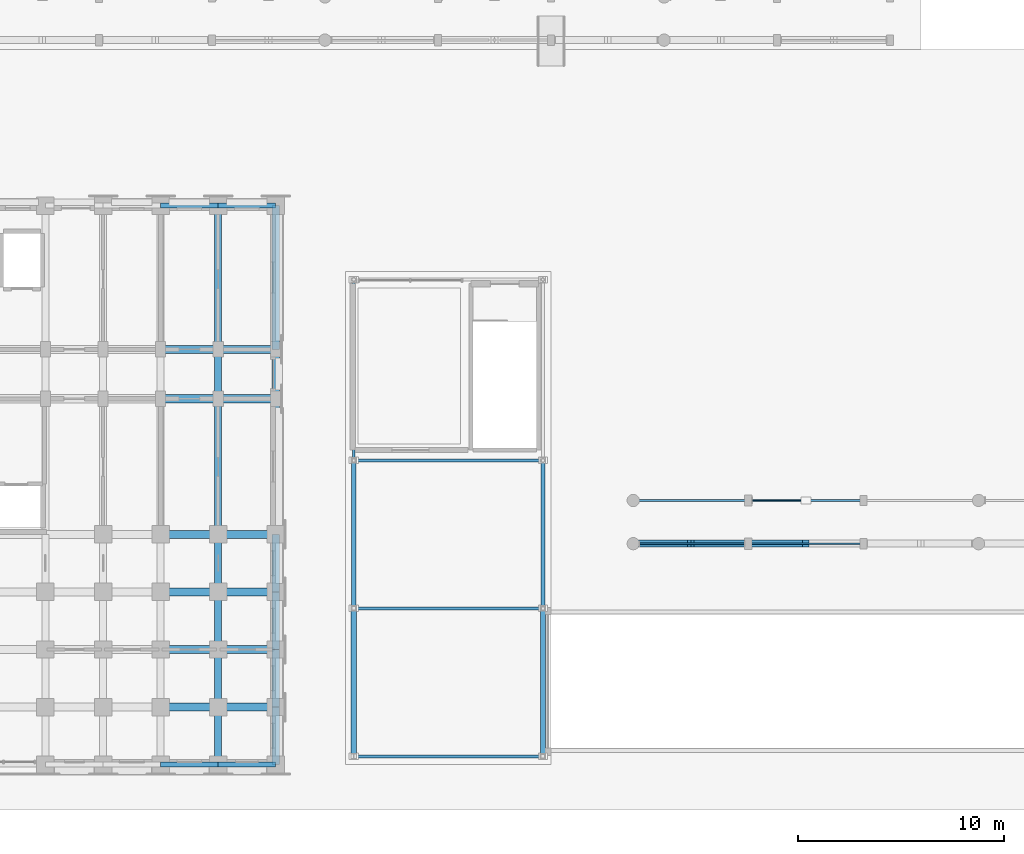
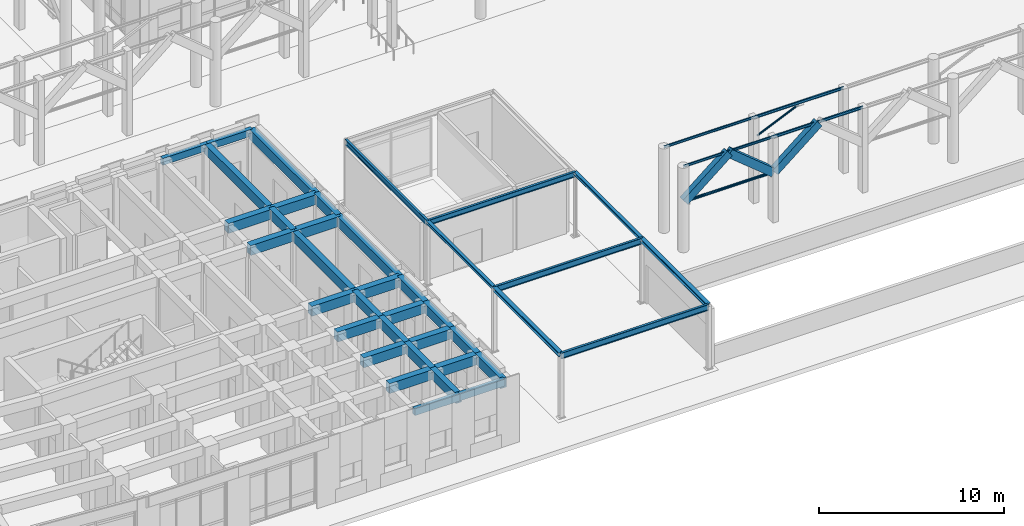
# One storey, part 24 of 135: 45 beams, 2 members.
"""IFC4 building model written with IfcOpenShell, lengths in metres."""

from ifc_helpers import new_model, si_unit, direction, frame, origin, origin_2d, place, context, subcontext, project, spatial, rectangle, hollow_circle, i_section, extrude, material, material_profile, profile_set, type_object, element, save


model = new_model("IFC4")

# Units and contexts
model_context = context("Model", 3, precision=1e-05, world=origin(), true_north=direction((0.0, 1.0)))
body_context = subcontext(model_context, "Body", "Model", "MODEL_VIEW")
ifc_project = project(units=[si_unit("LENGTHUNIT", "METRE"), si_unit("AREAUNIT", "SQUARE_METRE"), si_unit("VOLUMEUNIT", "CUBIC_METRE"), si_unit("PLANEANGLEUNIT", "RADIAN"), si_unit("MASSUNIT", "GRAM", prefix="KILO")], contexts=[model_context])

# Site, building, storey
site_placement = place(None, origin())
site = spatial("IfcSite", under=ifc_project, at=site_placement, CompositionType="ELEMENT")
building_placement = place(site_placement, origin())
building = spatial("IfcBuilding", under=site, at=building_placement, Name="Kiranvali Square Residences", CompositionType="ELEMENT")
storey_placement = place(building_placement, origin())
storey = spatial("IfcBuildingStorey", under=building, at=storey_placement, Name="L00", CompositionType="ELEMENT", Elevation=0.0)

# Beams
ifc_material_1 = material(Name="Concrete M40 (40 MPa)", Category="concrete")
ifc_material_profile_1 = material_profile(ifc_material_1, rectangle(XDim=0.35009765625, YDim=0.5, at=origin_2d()), Name="RC 350x500")
ifc_profile_set_1 = profile_set([ifc_material_profile_1], Name="Concrete M40 (40 MPa)")
beam_type_1 = type_object("IfcBeamType", Name="AR-M40-350x500", PredefinedType="USERDEFINED", material=ifc_profile_set_1)
for number, where, z_axis, x_axis, name in (
    (1, (88.0400390625, 12.949951171875, 3.199951171875), (0.773707197962, 0.0, 0.633543346443), (0.0, 1.0, 0.0), "Classical pointed Ottoman arch rib ARCH-ARC-SQ-S-01.1"),
    (2, (90.800048828125, 12.949951171875, 5.4599609375), (0.773707197962, 0.0, -0.633543346443), (0.0, 1.0, 0.0), "Classical pointed Ottoman arch rib ARCH-ARC-SQ-S-01.2"),
    (3, (93.639892578125, 12.949951171875, 3.199951171875), (0.773707197962, 0.0, 0.633543346443), (0.0, 1.0, 0.0), "Classical pointed Ottoman arch rib ARCH-ARC-SQ-S-02.1"),
):
    element("IfcBeam", number, at=place(storey_placement, frame(where, z_axis=z_axis, x_axis=x_axis)), inside=storey, type_object=beam_type_1, Name=name, ObjectType="ARCH RIB", PredefinedType="USERDEFINED", context=body_context, shape_type="SweptSolid", body=[
        extrude(rectangle(XDim=0.35009765625, YDim=0.5, at=origin_2d()), origin(), (0.0, 0.0, 1.0), 3.567138671875),
    ])
ifc_material_profile_2 = material_profile(ifc_material_1, rectangle(XDim=0.35009765625, YDim=0.64990234375, at=origin_2d()), Name="RC 350x650")
ifc_profile_set_2 = profile_set([ifc_material_profile_2], Name="Concrete M40 (40 MPa)")
beam_type_2 = type_object("IfcBeamType", Name="BM-M40-350x650", PredefinedType="BEAM", material=ifc_profile_set_2)
beam_1_placement = place(storey_placement, frame((67.800048828125, 29.39990234375, 3.824951171875), z_axis=(0.0, -1.0, 0.0), x_axis=(1.0, 0.0, 0.0)))
element("IfcBeam", 4, at=beam_1_placement, inside=storey, type_object=beam_type_2, Name="L00 beam BM-C-L00-A1T4-01", PredefinedType="BEAM", context=body_context, shape_type="SweptSolid", body=[
    extrude(rectangle(XDim=0.35009765625, YDim=0.64990234375, at=origin_2d()), origin(), (0.0, 0.0, 1.0), 7.0),
])
beam_2_placement = place(storey_placement, frame((67.800048828125, 22.39990234375, 3.824951171875), z_axis=(0.0, -1.0, 0.0), x_axis=(1.0, 0.0, 0.0)))
element("IfcBeam", 5, at=beam_2_placement, inside=storey, type_object=beam_type_2, Name="L00 beam BM-C-L00-A1T4-12", PredefinedType="BEAM", context=body_context, shape_type="SweptSolid", body=[
    extrude(rectangle(XDim=0.35009765625, YDim=0.64990234375, at=origin_2d()), origin(), (0.0, 0.0, 1.0), 2.39990234375),
])
beam_3_placement = place(storey_placement, frame((67.800048828125, 20.0, 3.824951171875), z_axis=(0.0, -1.0, 0.0), x_axis=(1.0, 0.0, 0.0)))
element("IfcBeam", 6, at=beam_3_placement, inside=storey, type_object=beam_type_2, Name="L00 beam BM-C-L00-A1T4-23", PredefinedType="BEAM", context=body_context, shape_type="SweptSolid", body=[
    extrude(rectangle(XDim=0.35009765625, YDim=0.64990234375, at=origin_2d()), origin(), (0.0, 0.0, 1.0), 6.60009765625),
])
beam_4_placement = place(storey_placement, frame((67.800048828125, 13.39990234375, 3.824951171875), z_axis=(0.0, -1.0, 0.0), x_axis=(1.0, 0.0, 0.0)))
element("IfcBeam", 7, at=beam_4_placement, inside=storey, type_object=beam_type_2, Name="L00 beam BM-C-L00-A1T4-34", PredefinedType="BEAM", context=body_context, shape_type="SweptSolid", body=[
    extrude(rectangle(XDim=0.35009765625, YDim=0.64990234375, at=origin_2d()), origin(), (0.0, 0.0, 1.0), 2.7998046875),
])
for number, where, z_axis, x_axis, name in (
    (8, (67.800048828125, 10.60009765625, 3.824951171875), (0.0, -1.0, 0.0), (1.0, 0.0, 0.0), "L00 beam BM-C-L00-A1T4-45"),
    (9, (67.800048828125, 7.800048828125, 3.824951171875), (0.0, -1.0, 0.0), (1.0, 0.0, 0.0), "L00 beam BM-C-L00-A1T4-56"),
    (10, (67.800048828125, 5.0, 3.824951171875), (0.0, -1.0, 0.0), (1.0, 0.0, 0.0), "L00 beam BM-C-L00-A1T4-67"),
):
    element("IfcBeam", number, at=place(storey_placement, frame(where, z_axis=z_axis, x_axis=x_axis)), inside=storey, type_object=beam_type_2, Name=name, PredefinedType="BEAM", context=body_context, shape_type="SweptSolid", body=[
        extrude(rectangle(XDim=0.35009765625, YDim=0.64990234375, at=origin_2d()), origin(), (0.0, 0.0, 1.0), 2.800048828125),
    ])
beam_5_placement = place(storey_placement, frame((70.60009765625, 29.39990234375, 3.824951171875), z_axis=(0.0, -1.0, 0.0), x_axis=(1.0, 0.0, 0.0)))
element("IfcBeam", 11, at=beam_5_placement, inside=storey, type_object=beam_type_2, Name="L00 beam BM-C-L00-A1T5-01", PredefinedType="BEAM", context=body_context, shape_type="SweptSolid", body=[
    extrude(rectangle(XDim=0.35009765625, YDim=0.64990234375, at=origin_2d()), origin(), (0.0, 0.0, 1.0), 7.0),
])
beam_6_placement = place(storey_placement, frame((70.60009765625, 22.39990234375, 3.824951171875), z_axis=(0.0, -1.0, 0.0), x_axis=(1.0, 0.0, 0.0)))
element("IfcBeam", 12, at=beam_6_placement, inside=storey, type_object=beam_type_2, Name="L00 beam BM-C-L00-A1T5-12", PredefinedType="BEAM", context=body_context, shape_type="SweptSolid", body=[
    extrude(rectangle(XDim=0.35009765625, YDim=0.64990234375, at=origin_2d()), origin(), (0.0, 0.0, 1.0), 2.39990234375),
])
beam_7_placement = place(storey_placement, frame((70.60009765625, 20.0, 3.824951171875), z_axis=(0.0, -1.0, 0.0), x_axis=(1.0, 0.0, 0.0)))
element("IfcBeam", 13, at=beam_7_placement, inside=storey, type_object=beam_type_2, Name="L00 beam BM-C-L00-A1T5-23", PredefinedType="BEAM", context=body_context, shape_type="SweptSolid", body=[
    extrude(rectangle(XDim=0.35009765625, YDim=0.64990234375, at=origin_2d()), origin(), (0.0, 0.0, 1.0), 6.60009765625),
])
beam_8_placement = place(storey_placement, frame((70.60009765625, 13.39990234375, 3.824951171875), z_axis=(0.0, -1.0, 0.0), x_axis=(1.0, 0.0, 0.0)))
element("IfcBeam", 14, at=beam_8_placement, inside=storey, type_object=beam_type_2, Name="L00 beam BM-C-L00-A1T5-34", PredefinedType="BEAM", context=body_context, shape_type="SweptSolid", body=[
    extrude(rectangle(XDim=0.35009765625, YDim=0.64990234375, at=origin_2d()), origin(), (0.0, 0.0, 1.0), 2.7998046875),
])
for number, where, z_axis, x_axis, name in (
    (15, (70.60009765625, 10.60009765625, 3.824951171875), (0.0, -1.0, 0.0), (1.0, 0.0, 0.0), "L00 beam BM-C-L00-A1T5-45"),
    (16, (70.60009765625, 7.800048828125, 3.824951171875), (0.0, -1.0, 0.0), (1.0, 0.0, 0.0), "L00 beam BM-C-L00-A1T5-56"),
    (17, (70.60009765625, 5.0, 3.824951171875), (0.0, -1.0, 0.0), (1.0, 0.0, 0.0), "L00 beam BM-C-L00-A1T5-67"),
):
    element("IfcBeam", number, at=place(storey_placement, frame(where, z_axis=z_axis, x_axis=x_axis)), inside=storey, type_object=beam_type_2, Name=name, PredefinedType="BEAM", context=body_context, shape_type="SweptSolid", body=[
        extrude(rectangle(XDim=0.35009765625, YDim=0.64990234375, at=origin_2d()), origin(), (0.0, 0.0, 1.0), 2.800048828125),
    ])
ifc_material_2 = material(Name="Concrete M45 (45 MPa)", Category="concrete")
ifc_material_profile_3 = material_profile(ifc_material_2, rectangle(XDim=0.39990234375, YDim=0.64990234375, at=origin_2d()), Name="RC 400x650")
ifc_profile_set_3 = profile_set([ifc_material_profile_3], Name="Concrete M45 (45 MPa)")
beam_type_3 = type_object("IfcBeamType", Name="BM-M45-400x650", PredefinedType="BEAM", material=ifc_profile_set_3)
for number, where, z_axis, x_axis, name in (
    (18, (65.0, 22.39990234375, 3.824951171875), (1.0, 0.0, 0.0), (0.0, 1.0, 0.0), "L00 beam BM-C-L00-A1U3-R1"),
    (19, (67.800048828125, 22.39990234375, 3.824951171875), (1.0, 0.0, 0.0), (0.0, 1.0, 0.0), "L00 beam BM-C-L00-A1U4-R1"),
    (20, (65.0, 20.0, 3.824951171875), (1.0, 0.0, 0.0), (0.0, 1.0, 0.0), "L00 beam BM-C-L00-A1U3-R2"),
    (21, (67.800048828125, 20.0, 3.824951171875), (1.0, 0.0, 0.0), (0.0, 1.0, 0.0), "L00 beam BM-C-L00-A1U4-R2"),
    (22, (65.0, 13.39990234375, 3.824951171875), (1.0, 0.0, 0.0), (0.0, 1.0, 0.0), "L00 beam BM-C-L00-A1U3-R3"),
    (23, (67.800048828125, 13.39990234375, 3.824951171875), (1.0, 0.0, 0.0), (0.0, 1.0, 0.0), "L00 beam BM-C-L00-A1U4-R3"),
    (24, (65.0, 10.60009765625, 3.824951171875), (1.0, 0.0, 0.0), (0.0, 1.0, 0.0), "L00 beam BM-C-L00-A1U4-R4"),
    (25, (67.800048828125, 10.60009765625, 3.824951171875), (1.0, 0.0, 0.0), (0.0, 1.0, 0.0), "L00 beam BM-C-L00-A1U5-R4"),
    (26, (65.0, 7.800048828125, 3.824951171875), (1.0, 0.0, 0.0), (0.0, 1.0, 0.0), "L00 beam BM-C-L00-A1U4-R5"),
    (27, (67.800048828125, 7.800048828125, 3.824951171875), (1.0, 0.0, 0.0), (0.0, 1.0, 0.0), "L00 beam BM-C-L00-A1U5-R5"),
    (28, (65.0, 5.0, 3.824951171875), (1.0, 0.0, 0.0), (0.0, 1.0, 0.0), "L00 beam BM-C-L00-A1U4-R6"),
    (29, (67.800048828125, 5.0, 3.824951171875), (1.0, 0.0, 0.0), (0.0, 1.0, 0.0), "L00 beam BM-C-L00-A1U5-R6"),
):
    element("IfcBeam", number, at=place(storey_placement, frame(where, z_axis=z_axis, x_axis=x_axis)), inside=storey, type_object=beam_type_3, Name=name, PredefinedType="BEAM", context=body_context, shape_type="SweptSolid", body=[
        extrude(rectangle(XDim=0.39990234375, YDim=0.64990234375, at=origin_2d()), origin(), (0.0, 0.0, 1.0), 2.800048828125),
    ])

# Members
ifc_material_3 = material(Name="Structural steel E350", Category="steel")
ifc_material_profile_4 = material_profile(ifc_material_3, hollow_circle(Radius=0.05712890625, WallThickness=0.00537109375, at=origin_2d()), Name="CHS 114.3x5.4")
ifc_profile_set_4 = profile_set([ifc_material_profile_4], Name="Structural steel E350")
member_type_1 = type_object("IfcMemberType", Name="MEM-CHS114", PredefinedType="BRACE", material=ifc_profile_set_4)
member_1_placement = place(storey_placement, frame((93.81103515625, 15.050048828125, 4.199951171875), z_axis=(0.913999832805, 0.0, 0.40571456177), x_axis=(0.0, 1.0, 0.0)))
element("IfcMember", 30, at=member_1_placement, inside=storey, type_object=member_type_1, Name="Colonnade steel knee brace ARC-SQ-S-2", PredefinedType="BRACE", context=body_context, shape_type="SweptSolid", body=[
    extrude(hollow_circle(Radius=0.05712890625, WallThickness=0.00537109375, at=origin_2d()), origin(), (0.0, 0.0, 1.0), 2.83251953125),
])
ifc_material_profile_5 = material_profile(ifc_material_3, hollow_circle(Radius=0.08251953125, WallThickness=0.00537109375, at=origin_2d()), Name="CHS 165.1x5.4")
ifc_profile_set_5 = profile_set([ifc_material_profile_5], Name="Structural steel E350")
member_type_2 = type_object("IfcMemberType", Name="MEM-CHS165", PredefinedType="USERDEFINED", material=ifc_profile_set_5)
member_2_placement = place(storey_placement, frame((88.323974609375, 12.949951171875, 3.14990234375), z_axis=(1.0, 0.0, 0.0), x_axis=(0.0, 1.0, 0.0)))
element("IfcMember", 31, at=member_2_placement, inside=storey, type_object=member_type_2, Name="Ottoman arch springing tie rod ARC-SQ-S-1", ObjectType="TIE ROD", PredefinedType="USERDEFINED", context=body_context, shape_type="SweptSolid", body=[
    extrude(hollow_circle(Radius=0.08251953125, WallThickness=0.00537109375, at=origin_2d()), origin(), (0.0, 0.0, 1.0), 5.076904296875),
])

# Beams
ifc_material_profile_6 = material_profile(ifc_material_3, i_section(OverallWidth=0.199951171875, OverallDepth=0.199951171875, WebThickness=0.0078125, FlangeThickness=0.009033203125, at=origin_2d()), Name="ISHB 200")
ifc_profile_set_6 = profile_set([ifc_material_profile_6], Name="Structural steel E350")
beam_type_4 = type_object("IfcBeamType", Name="SBM-ISHB200", PredefinedType="BEAM", material=ifc_profile_set_6)
for number, where, z_axis, x_axis, name in (
    (32, (74.39990234375, 9.800048828125, 4.159912109375), (0.0, 1.0, 0.0), (-1.0, 0.0, 0.0), "South Boulevard Ramp and Arcade Portal portal edge steel beam 2.1"),
    (33, (83.60009765625, 9.800048828125, 4.159912109375), (0.0, 1.0, 0.0), (-1.0, 0.0, 0.0), "South Boulevard Ramp and Arcade Portal portal edge steel beam 2.2"),
):
    element("IfcBeam", number, at=place(storey_placement, frame(where, z_axis=z_axis, x_axis=x_axis)), inside=storey, type_object=beam_type_4, Name=name, PredefinedType="BEAM", context=body_context, shape_type="SweptSolid", body=[
        extrude(i_section(OverallWidth=0.199951171875, OverallDepth=0.199951171875, WebThickness=0.0078125, FlangeThickness=0.009033203125, at=origin_2d()), origin(), (0.0, 0.0, 1.0), 7.199951171875),
    ])
ifc_material_profile_7 = material_profile(ifc_material_3, i_section(OverallWidth=0.25, OverallDepth=0.25, WebThickness=0.0087890625, FlangeThickness=0.009765625, at=origin_2d()), Name="ISHB 250")
ifc_profile_set_7 = profile_set([ifc_material_profile_7], Name="Structural steel E350")
beam_type_5 = type_object("IfcBeamType", Name="SBM-ISHB250", PredefinedType="BEAM", material=ifc_profile_set_7)
for number, where, z_axis, x_axis, name in (
    (34, (74.39990234375, 2.60009765625, 4.135009765625), (0.0, 1.0, 0.0), (-1.0, 0.0, 0.0), "South Boulevard Ramp and Arcade Portal portal edge steel beam 1.1"),
    (35, (83.60009765625, 2.60009765625, 4.135009765625), (0.0, 1.0, 0.0), (-1.0, 0.0, 0.0), "South Boulevard Ramp and Arcade Portal portal edge steel beam 1.2"),
):
    element("IfcBeam", number, at=place(storey_placement, frame(where, z_axis=z_axis, x_axis=x_axis)), inside=storey, type_object=beam_type_5, Name=name, PredefinedType="BEAM", context=body_context, shape_type="SweptSolid", body=[
        extrude(i_section(OverallWidth=0.25, OverallDepth=0.25, WebThickness=0.0087890625, FlangeThickness=0.009765625, at=origin_2d()), origin(), (0.0, 0.0, 1.0), 7.199951171875),
    ])
ifc_material_profile_8 = material_profile(ifc_material_3, i_section(OverallWidth=0.074951171875, OverallDepth=0.14990234375, WebThickness=0.0048828125, FlangeThickness=0.008056640625, at=origin_2d()), Name="ISMB 150")
ifc_profile_set_8 = profile_set([ifc_material_profile_8], Name="Structural steel E350")
beam_type_6 = type_object("IfcBeamType", Name="SBM-ISMB150", PredefinedType="JOIST", material=ifc_profile_set_8)
for number, where, z_axis, x_axis, name in (
    (36, (88.0, 12.949951171875, 5.485107421875), (1.0, 0.0, 0.0), (0.0, 1.0, 0.0), "Colonnade entablature steel beam ARC-SQ-S-1"),
    (37, (88.0, 15.050048828125, 5.485107421875), (1.0, 0.0, 0.0), (0.0, 1.0, 0.0), "Colonnade inner entablature steel beam ARC-SQ-S-1B"),
):
    element("IfcBeam", number, at=place(storey_placement, frame(where, z_axis=z_axis, x_axis=x_axis)), inside=storey, type_object=beam_type_6, Name=name, PredefinedType="JOIST", context=body_context, shape_type="SweptSolid", body=[
        extrude(i_section(OverallWidth=0.074951171875, OverallDepth=0.14990234375, WebThickness=0.0048828125, FlangeThickness=0.008056640625, at=origin_2d()), origin(), (0.0, 0.0, 1.0), 5.60009765625),
    ])
ifc_material_profile_9 = material_profile(ifc_material_3, i_section(OverallWidth=0.0849609375, OverallDepth=0.175048828125, WebThickness=0.005859375, FlangeThickness=0.009033203125, at=origin_2d()), Name="ISMB 175")
ifc_profile_set_9 = profile_set([ifc_material_profile_9], Name="Structural steel E350")
beam_type_7 = type_object("IfcBeamType", Name="SBM-ISMB175", PredefinedType="JOIST", material=ifc_profile_set_9)
for number, where, z_axis, x_axis, name in (
    (38, (93.60009765625, 12.949951171875, 5.472412109375), (1.0, 0.0, 0.0), (0.0, 1.0, 0.0), "Colonnade entablature steel beam ARC-SQ-S-2"),
    (39, (93.60009765625, 15.050048828125, 5.472412109375), (1.0, 0.0, 0.0), (0.0, 1.0, 0.0), "Colonnade inner entablature steel beam ARC-SQ-S-2B"),
):
    element("IfcBeam", number, at=place(storey_placement, frame(where, z_axis=z_axis, x_axis=x_axis)), inside=storey, type_object=beam_type_7, Name=name, PredefinedType="JOIST", context=body_context, shape_type="SweptSolid", body=[
        extrude(i_section(OverallWidth=0.0849609375, OverallDepth=0.175048828125, WebThickness=0.005859375, FlangeThickness=0.009033203125, at=origin_2d()), origin(), (0.0, 0.0, 1.0), 5.599853515625),
    ])
ifc_material_profile_10 = material_profile(ifc_material_3, i_section(OverallWidth=0.139892578125, OverallDepth=0.35009765625, WebThickness=0.008056640625, FlangeThickness=0.01416015625, at=origin_2d()), Name="ISMB 350")
ifc_profile_set_10 = profile_set([ifc_material_profile_10], Name="Structural steel E350")
beam_type_8 = type_object("IfcBeamType", Name="SBM-ISMB350", PredefinedType="BEAM", material=ifc_profile_set_10)
beam_9_placement = place(storey_placement, frame((74.39990234375, 17.0, 4.0849609375), z_axis=(0.0, 1.0, 0.0), x_axis=(-1.0, 0.0, 0.0)))
element("IfcBeam", 40, at=beam_9_placement, inside=storey, type_object=beam_type_8, Name="South Boulevard Ramp and Arcade Portal portal edge steel beam 3.1", PredefinedType="BEAM", context=body_context, shape_type="SweptSolid", body=[
    extrude(i_section(OverallWidth=0.139892578125, OverallDepth=0.35009765625, WebThickness=0.008056640625, FlangeThickness=0.01416015625, at=origin_2d()), origin(), (0.0, 0.0, 1.0), 8.800048828125),
])
beam_10_placement = place(storey_placement, frame((74.39990234375, 17.0, 4.0849609375), z_axis=(1.0, 0.0, 0.0), x_axis=(0.0, 1.0, 0.0)))
element("IfcBeam", 41, at=beam_10_placement, inside=storey, type_object=beam_type_8, Name="South Boulevard Ramp and Arcade Portal portal cross girder 3", PredefinedType="BEAM", context=body_context, shape_type="SweptSolid", body=[
    extrude(i_section(OverallWidth=0.139892578125, OverallDepth=0.35009765625, WebThickness=0.008056640625, FlangeThickness=0.01416015625, at=origin_2d()), origin(), (0.0, 0.0, 1.0), 9.2001953125),
])
ifc_material_profile_11 = material_profile(ifc_material_3, i_section(OverallWidth=0.139892578125, OverallDepth=0.39990234375, WebThickness=0.0087890625, FlangeThickness=0.01611328125, at=origin_2d()), Name="ISMB 400")
ifc_profile_set_11 = profile_set([ifc_material_profile_11], Name="Structural steel E350")
beam_type_9 = type_object("IfcBeamType", Name="SBM-ISMB400", PredefinedType="BEAM", material=ifc_profile_set_11)
for number, where, z_axis, x_axis, name in (
    (42, (74.39990234375, 2.60009765625, 4.06005859375), (1.0, 0.0, 0.0), (0.0, 1.0, 0.0), "South Boulevard Ramp and Arcade Portal portal cross girder 1"),
    (43, (74.39990234375, 9.800048828125, 4.06005859375), (1.0, 0.0, 0.0), (0.0, 1.0, 0.0), "South Boulevard Ramp and Arcade Portal portal cross girder 2"),
):
    element("IfcBeam", number, at=place(storey_placement, frame(where, z_axis=z_axis, x_axis=x_axis)), inside=storey, type_object=beam_type_9, Name=name, PredefinedType="BEAM", context=body_context, shape_type="SweptSolid", body=[
        extrude(i_section(OverallWidth=0.139892578125, OverallDepth=0.39990234375, WebThickness=0.0087890625, FlangeThickness=0.01611328125, at=origin_2d()), origin(), (0.0, 0.0, 1.0), 9.2001953125),
    ])
ifc_material_profile_12 = material_profile(ifc_material_1, rectangle(XDim=0.25, YDim=0.449951171875, at=origin_2d()), Name="RC 250x450")
ifc_profile_set_12 = profile_set([ifc_material_profile_12], Name="Concrete M40 (40 MPa)")
beam_type_10 = type_object("IfcBeamType", Name="SPN-M40-250x450", PredefinedType="SPANDREL", material=ifc_profile_set_12)
for number, where, z_axis, x_axis, name in (
    (44, (65.0, 29.39990234375, 3.925048828125), (1.0, 0.0, 0.0), (0.0, 1.0, 0.0), "L00 beam BM-C-L00-A1U3-R0"),
    (45, (67.800048828125, 29.39990234375, 3.925048828125), (1.0, 0.0, 0.0), (0.0, 1.0, 0.0), "L00 beam BM-C-L00-A1U4-R0"),
    (46, (65.0, 2.199951171875, 3.925048828125), (1.0, 0.0, 0.0), (0.0, 1.0, 0.0), "L00 beam BM-C-L00-A1U4-R7"),
    (47, (67.800048828125, 2.199951171875, 3.925048828125), (1.0, 0.0, 0.0), (0.0, 1.0, 0.0), "L00 beam BM-C-L00-A1U5-R7"),
):
    element("IfcBeam", number, at=place(storey_placement, frame(where, z_axis=z_axis, x_axis=x_axis)), inside=storey, type_object=beam_type_10, Name=name, PredefinedType="SPANDREL", context=body_context, shape_type="SweptSolid", body=[
        extrude(rectangle(XDim=0.25, YDim=0.449951171875, at=origin_2d()), origin(), (0.0, 0.0, 1.0), 2.800048828125),
    ])

save(model, "model.ifc")
